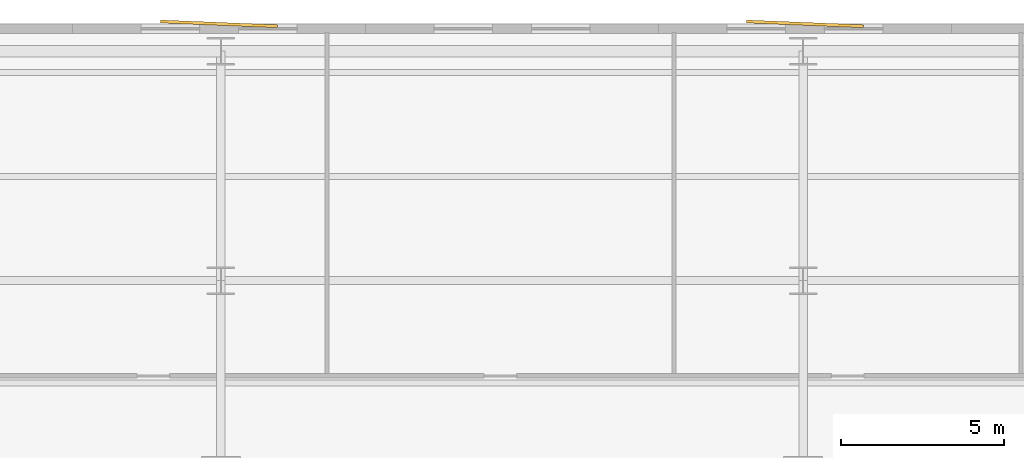
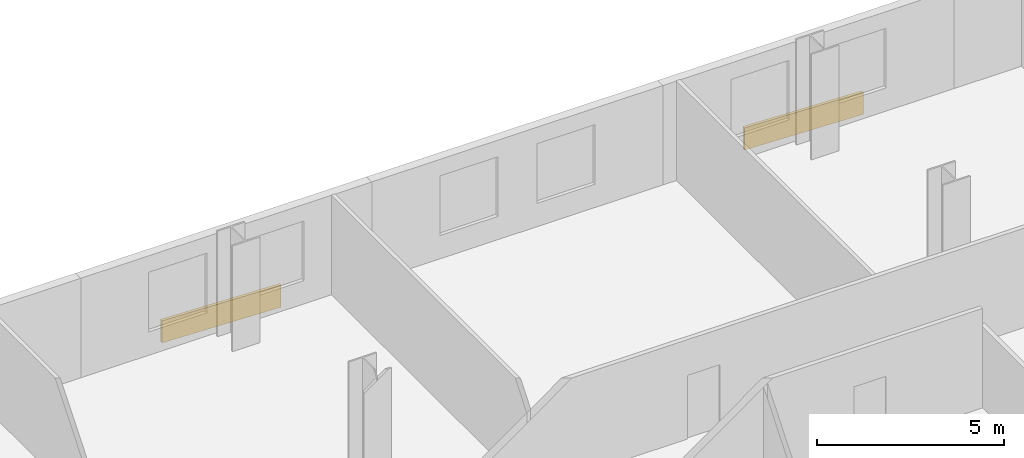
# One storey, part 10 of 10: 2 coverings.
"""IFC4 building model written with IfcOpenShell, lengths in metres."""

from ifc_helpers import new_model, si_unit, direction, frame, origin, origin_2d, place, context, subcontext, project, spatial, rectangle, extrude, material, layer, layer_set, type_object, element, save


model = new_model("IFC4")

# Units and contexts
model_context = context("Model", 3, precision=1e-05, world=origin(), true_north=direction((0.0, 1.0)))
body_context = subcontext(model_context, "Body", "Model", "MODEL_VIEW")
ifc_project = project(units=[si_unit("LENGTHUNIT", "METRE"), si_unit("AREAUNIT", "SQUARE_METRE"), si_unit("VOLUMEUNIT", "CUBIC_METRE"), si_unit("PLANEANGLEUNIT", "RADIAN"), si_unit("MASSUNIT", "GRAM", prefix="KILO")], contexts=[model_context])

# Site, building, storey
site_placement = place(None, origin())
site = spatial("IfcSite", under=ifc_project, at=site_placement, CompositionType="ELEMENT")
building_placement = place(site_placement, origin())
building = spatial("IfcBuilding", under=site, at=building_placement, Name="Velakula Bourse", CompositionType="ELEMENT")
storey_placement = place(building_placement, frame((0.0, 0.0, 58.800048828125)))
storey = spatial("IfcBuildingStorey", under=building, at=storey_placement, Name="L15", CompositionType="ELEMENT", Elevation=58.800048828125)

# Coverings
ifc_material = material(Name="Red kilned clay facing brick masonry", Category="masonry")
ifc_layer = layer(ifc_material, 0.090087890625, Name="Red kilned clay facing brick masonry", Category="masonry")
ifc_layer_set = layer_set([ifc_layer], Name="Red kilned clay facing brick masonry")
covering_type = type_object("IfcCoveringType", Name="COV-BRK-FOLD-90", PredefinedType="CLADDING", material=ifc_layer_set)
for number, where, z_axis, x_axis, name in (
    (1, (-9.0, 22.489990234375, 0.0), (0.0, 0.0, 1.0), (0.999158993058, -0.041003738744, 0.0), "L15 Folded Brick Facade Cladding Panel N-B2"),
    (2, (9.0, 22.489990234375, 0.0), (0.0, 0.0, 1.0), (0.999158993058, -0.041003738744, 0.0), "L15 Folded Brick Facade Cladding Panel N-B4"),
):
    element("IfcCovering", number, at=place(storey_placement, frame(where, z_axis=z_axis, x_axis=x_axis)), inside=storey, type_object=covering_type, Name=name, PredefinedType="CLADDING", context=body_context, shape_type="SweptSolid", body=[
        extrude(rectangle(XDim=3.60009765625, YDim=0.090087890625, at=origin_2d()), origin(), (0.0, 0.0, 1.0), 0.719970703125),
    ])

save(model, "model.ifc")
